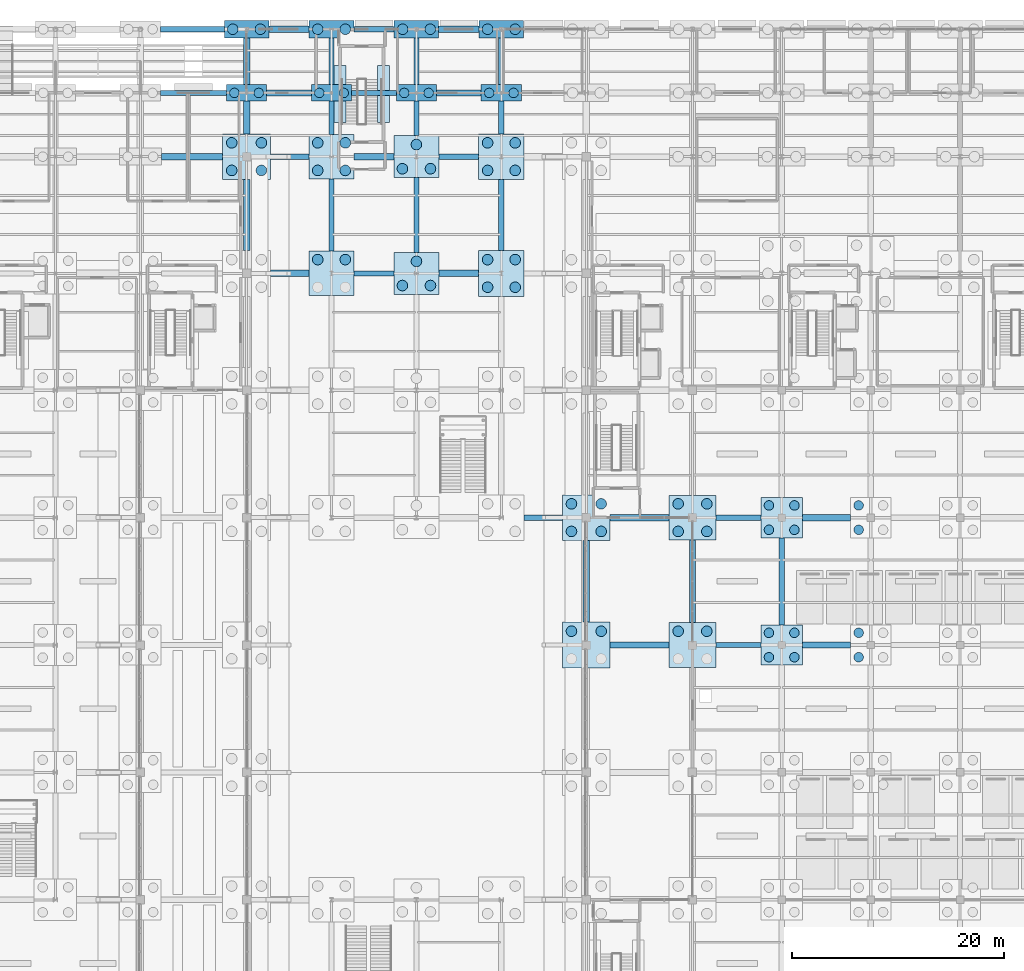
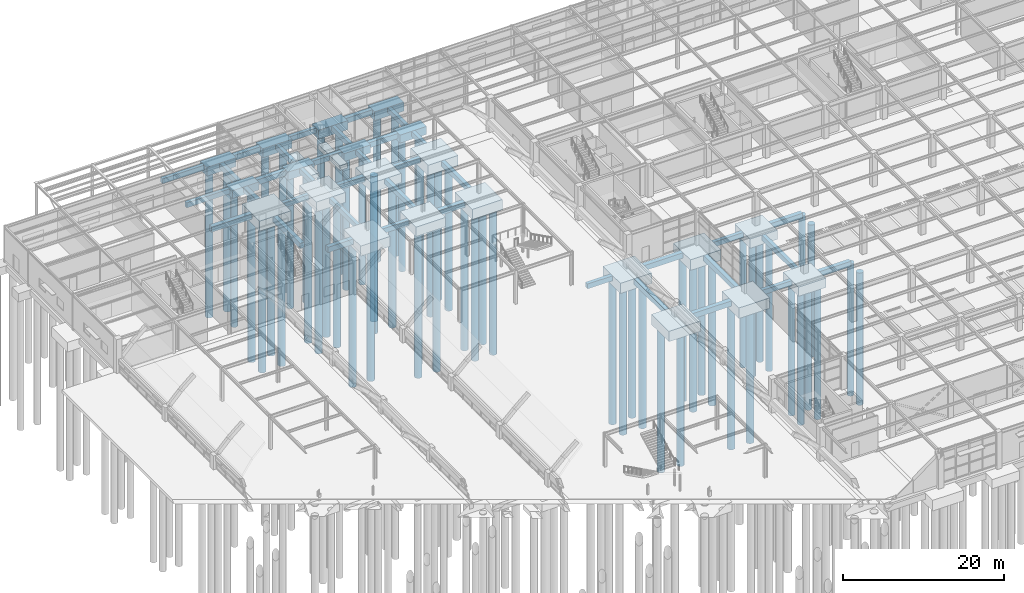
# One storey, part 6 of 129: 64 piles, 60 footings.
"""IFC4 building model written with IfcOpenShell, lengths in metres."""

from ifc_helpers import new_model, si_unit, direction, frame, origin, origin_2d, place, context, subcontext, project, spatial, rectangle, circle, extrude, material, material_profile, profile_set, type_object, element, save


model = new_model("IFC4")

# Units and contexts
model_context = context("Model", 3, precision=1e-05, world=origin(), true_north=direction((0.0, 1.0)))
body_context = subcontext(model_context, "Body", "Model", "MODEL_VIEW")
ifc_project = project(units=[si_unit("LENGTHUNIT", "METRE"), si_unit("AREAUNIT", "SQUARE_METRE"), si_unit("VOLUMEUNIT", "CUBIC_METRE"), si_unit("PLANEANGLEUNIT", "RADIAN"), si_unit("MASSUNIT", "GRAM", prefix="KILO")], contexts=[model_context])

# Site, building, storey
site_placement = place(None, origin())
site = spatial("IfcSite", under=ifc_project, at=site_placement, CompositionType="ELEMENT")
building_placement = place(site_placement, origin())
building = spatial("IfcBuilding", under=site, at=building_placement, Name="Sitalva Quay Ferry Terminal", CompositionType="ELEMENT")
storey_placement = place(building_placement, origin())
storey = spatial("IfcBuildingStorey", under=building, at=storey_placement, Name="L01", CompositionType="ELEMENT", Elevation=0.0)

# Footings
ifc_material_1 = material(Name="Concrete C35/45", Category="concrete")
ifc_material_profile_1 = material_profile(ifc_material_1, rectangle(XDim=0.5, YDim=0.75, at=origin_2d()), Name="RC500x750")
ifc_profile_set_1 = profile_set([ifc_material_profile_1], Name="Concrete C35/45")
footing_type_1 = type_object("IfcFootingType", Name="FootingBeam_500x750", PredefinedType="FOOTING_BEAM", material=ifc_profile_set_1)
footing_1_placement = place(storey_placement, frame((86.199951171875, 54.0, -0.824951171875), z_axis=(1.0, 0.0, 0.0), x_axis=(0.0, 1.0, 0.0)))
element("IfcFooting", 1, at=footing_1_placement, inside=storey, type_object=footing_type_1, Name="Foundation tie beam FBR1-X-085", PredefinedType="FOOTING_BEAM", context=body_context, shape_type="SweptSolid", body=[
    extrude(rectangle(XDim=0.5, YDim=0.75, at=origin_2d()), origin(), (0.0, 0.0, 1.0), 4.25),
])
footing_2_placement = place(storey_placement, frame((68.14990234375, 66.0, -0.824951171875), z_axis=(1.0, 0.0, 0.0), x_axis=(0.0, 1.0, 0.0)))
element("IfcFooting", 2, at=footing_2_placement, inside=storey, type_object=footing_type_1, Name="Foundation tie beam FBR1-X-103", PredefinedType="FOOTING_BEAM", context=body_context, shape_type="SweptSolid", body=[
    extrude(rectangle(XDim=0.5, YDim=0.75, at=origin_2d()), origin(), (0.0, 0.0, 1.0), 3.60009765625),
])
footing_3_placement = place(storey_placement, frame((86.199951171875, 66.0, -0.824951171875), z_axis=(1.0, 0.0, 0.0), x_axis=(0.0, 1.0, 0.0)))
element("IfcFooting", 3, at=footing_3_placement, inside=storey, type_object=footing_type_1, Name="Foundation tie beam FBR1-X-105", PredefinedType="FOOTING_BEAM", context=body_context, shape_type="SweptSolid", body=[
    extrude(rectangle(XDim=0.5, YDim=0.75, at=origin_2d()), origin(), (0.0, 0.0, 1.0), 4.25),
])
footing_4_placement = place(storey_placement, frame((52.10009765625, 89.0, -0.824951171875), z_axis=(1.0, 0.0, 0.0), x_axis=(0.0, 1.0, 0.0)))
element("IfcFooting", 4, at=footing_4_placement, inside=storey, type_object=footing_type_1, Name="Foundation tie beam FBR1-X-141", PredefinedType="FOOTING_BEAM", context=body_context, shape_type="SweptSolid", body=[
    extrude(rectangle(XDim=0.5, YDim=0.75, at=origin_2d()), origin(), (0.0, 0.0, 1.0), 3.77490234375),
])
footing_5_placement = place(storey_placement, frame((44.25, 100.0, -0.824951171875), z_axis=(1.0, 0.0, 0.0), x_axis=(0.0, 1.0, 0.0)))
element("IfcFooting", 5, at=footing_5_placement, inside=storey, type_object=footing_type_1, Name="Foundation tie beam FBR1-X-159", PredefinedType="FOOTING_BEAM", context=body_context, shape_type="SweptSolid", body=[
    extrude(rectangle(XDim=0.5, YDim=0.75, at=origin_2d()), origin(), (0.0, 0.0, 1.0), 3.64990234375),
])
footing_6_placement = place(storey_placement, frame((60.125, 100.0, -0.824951171875), z_axis=(1.0, 0.0, 0.0), x_axis=(0.0, 1.0, 0.0)))
element("IfcFooting", 6, at=footing_6_placement, inside=storey, type_object=footing_type_1, Name="Foundation tie beam FBR1-X-161", PredefinedType="FOOTING_BEAM", context=body_context, shape_type="SweptSolid", body=[
    extrude(rectangle(XDim=0.5, YDim=0.75, at=origin_2d()), origin(), (0.0, 0.0, 1.0), 3.72509765625),
])
footing_7_placement = place(storey_placement, frame((33.89990234375, 106.0, -0.824951171875), z_axis=(1.0, 0.0, 0.0), x_axis=(0.0, 1.0, 0.0)))
element("IfcFooting", 7, at=footing_7_placement, inside=storey, type_object=footing_type_1, Name="Foundation tie beam FBR1-X-177", PredefinedType="FOOTING_BEAM", context=body_context, shape_type="SweptSolid", body=[
    extrude(rectangle(XDim=0.5, YDim=0.75, at=origin_2d()), origin(), (0.0, 0.0, 1.0), 6.2001953125),
])
footing_8_placement = place(storey_placement, frame((51.89990234375, 106.0, -0.824951171875), z_axis=(1.0, 0.0, 0.0), x_axis=(0.0, 1.0, 0.0)))
element("IfcFooting", 8, at=footing_8_placement, inside=storey, type_object=footing_type_1, Name="Foundation tie beam FBR1-X-179", PredefinedType="FOOTING_BEAM", context=body_context, shape_type="SweptSolid", body=[
    extrude(rectangle(XDim=0.5, YDim=0.75, at=origin_2d()), origin(), (0.0, 0.0, 1.0), 4.2001953125),
])
footing_9_placement = place(storey_placement, frame((33.89990234375, 112.0, -0.824951171875), z_axis=(1.0, 0.0, 0.0), x_axis=(0.0, 1.0, 0.0)))
element("IfcFooting", 9, at=footing_9_placement, inside=storey, type_object=footing_type_1, Name="Foundation tie beam FBR1-X-195", PredefinedType="FOOTING_BEAM", context=body_context, shape_type="SweptSolid", body=[
    extrude(rectangle(XDim=0.5, YDim=0.75, at=origin_2d()), origin(), (0.0, 0.0, 1.0), 6.0),
])
footing_10_placement = place(storey_placement, frame((52.10009765625, 112.0, -0.824951171875), z_axis=(1.0, 0.0, 0.0), x_axis=(0.0, 1.0, 0.0)))
element("IfcFooting", 10, at=footing_10_placement, inside=storey, type_object=footing_type_1, Name="Foundation tie beam FBR1-X-197", PredefinedType="FOOTING_BEAM", context=body_context, shape_type="SweptSolid", body=[
    extrude(rectangle(XDim=0.5, YDim=0.75, at=origin_2d()), origin(), (0.0, 0.0, 1.0), 3.7998046875),
])
footing_11_placement = place(storey_placement, frame((50.0, 91.10009765625, -0.824951171875), z_axis=(0.0, 1.0, 0.0), x_axis=(-1.0, 0.0, 0.0)))
element("IfcFooting", 11, at=footing_11_placement, inside=storey, type_object=footing_type_1, Name="Foundation tie beam FBR1-Y-260", PredefinedType="FOOTING_BEAM", context=body_context, shape_type="SweptSolid", body=[
    extrude(rectangle(XDim=0.5, YDim=0.75, at=origin_2d()), origin(), (0.0, 0.0, 1.0), 6.7998046875),
])
footing_12_placement = place(storey_placement, frame((50.0, 102.10009765625, -0.824951171875), z_axis=(0.0, 1.0, 0.0), x_axis=(-1.0, 0.0, 0.0)))
element("IfcFooting", 12, at=footing_12_placement, inside=storey, type_object=footing_type_1, Name="Foundation tie beam FBR1-Y-261", PredefinedType="FOOTING_BEAM", context=body_context, shape_type="SweptSolid", body=[
    extrude(rectangle(XDim=0.5, YDim=0.75, at=origin_2d()), origin(), (0.0, 0.0, 1.0), 3.125),
])
footing_13_placement = place(storey_placement, frame((50.0, 106.77490234375, -0.824951171875), z_axis=(0.0, 1.0, 0.0), x_axis=(-1.0, 0.0, 0.0)))
element("IfcFooting", 13, at=footing_13_placement, inside=storey, type_object=footing_type_1, Name="Foundation tie beam FBR1-Y-262", PredefinedType="FOOTING_BEAM", context=body_context, shape_type="SweptSolid", body=[
    extrude(rectangle(XDim=0.5, YDim=0.75, at=origin_2d()), origin(), (0.0, 0.0, 1.0), 4.400146484375),
])
footing_14_placement = place(storey_placement, frame((58.0, 90.97509765625, -0.824951171875), z_axis=(0.0, 1.0, 0.0), x_axis=(-1.0, 0.0, 0.0)))
element("IfcFooting", 14, at=footing_14_placement, inside=storey, type_object=footing_type_1, Name="Foundation tie beam FBR1-Y-269", PredefinedType="FOOTING_BEAM", context=body_context, shape_type="SweptSolid", body=[
    extrude(rectangle(XDim=0.5, YDim=0.75, at=origin_2d()), origin(), (0.0, 0.0, 1.0), 7.0498046875),
])
footing_15_placement = place(storey_placement, frame((58.0, 101.97509765625, -0.824951171875), z_axis=(0.0, 1.0, 0.0), x_axis=(-1.0, 0.0, 0.0)))
element("IfcFooting", 15, at=footing_15_placement, inside=storey, type_object=footing_type_1, Name="Foundation tie beam FBR1-Y-270", PredefinedType="FOOTING_BEAM", context=body_context, shape_type="SweptSolid", body=[
    extrude(rectangle(XDim=0.5, YDim=0.75, at=origin_2d()), origin(), (0.0, 0.0, 1.0), 3.25),
])
footing_16_placement = place(storey_placement, frame((58.0, 106.77490234375, -0.824951171875), z_axis=(0.0, 1.0, 0.0), x_axis=(-1.0, 0.0, 0.0)))
element("IfcFooting", 16, at=footing_16_placement, inside=storey, type_object=footing_type_1, Name="Foundation tie beam FBR1-Y-271", PredefinedType="FOOTING_BEAM", context=body_context, shape_type="SweptSolid", body=[
    extrude(rectangle(XDim=0.5, YDim=0.75, at=origin_2d()), origin(), (0.0, 0.0, 1.0), 4.400146484375),
])
footing_17_placement = place(storey_placement, frame((66.0, 91.14990234375, -0.824951171875), z_axis=(0.0, 1.0, 0.0), x_axis=(-1.0, 0.0, 0.0)))
element("IfcFooting", 17, at=footing_17_placement, inside=storey, type_object=footing_type_1, Name="Foundation tie beam FBR1-Y-278", PredefinedType="FOOTING_BEAM", context=body_context, shape_type="SweptSolid", body=[
    extrude(rectangle(XDim=0.5, YDim=0.75, at=origin_2d()), origin(), (0.0, 0.0, 1.0), 6.7001953125),
])
footing_18_placement = place(storey_placement, frame((66.0, 102.14990234375, -0.824951171875), z_axis=(0.0, 1.0, 0.0), x_axis=(-1.0, 0.0, 0.0)))
element("IfcFooting", 18, at=footing_18_placement, inside=storey, type_object=footing_type_1, Name="Foundation tie beam FBR1-Y-279", PredefinedType="FOOTING_BEAM", context=body_context, shape_type="SweptSolid", body=[
    extrude(rectangle(XDim=0.5, YDim=0.75, at=origin_2d()), origin(), (0.0, 0.0, 1.0), 3.0751953125),
])
footing_19_placement = place(storey_placement, frame((66.0, 106.77490234375, -0.824951171875), z_axis=(0.0, 1.0, 0.0), x_axis=(-1.0, 0.0, 0.0)))
element("IfcFooting", 19, at=footing_19_placement, inside=storey, type_object=footing_type_1, Name="Foundation tie beam FBR1-Y-280", PredefinedType="FOOTING_BEAM", context=body_context, shape_type="SweptSolid", body=[
    extrude(rectangle(XDim=0.5, YDim=0.75, at=origin_2d()), origin(), (0.0, 0.0, 1.0), 4.400146484375),
])
footing_20_placement = place(storey_placement, frame((92.39990234375, 55.89990234375, -0.824951171875), z_axis=(0.0, 1.0, 0.0), x_axis=(-1.0, 0.0, 0.0)))
element("IfcFooting", 20, at=footing_20_placement, inside=storey, type_object=footing_type_1, Name="Foundation tie beam FBR1-Y-305", PredefinedType="FOOTING_BEAM", context=body_context, shape_type="SweptSolid", body=[
    extrude(rectangle(XDim=0.5, YDim=0.75, at=origin_2d()), origin(), (0.0, 0.0, 1.0), 8.2001953125),
])
ifc_material_2 = material(Name="Concrete C35/45", Category="concrete")
ifc_material_profile_2 = material_profile(ifc_material_2, rectangle(XDim=0.60009765625, YDim=0.800048828125, at=origin_2d()), Name="RC600x800")
ifc_profile_set_2 = profile_set([ifc_material_profile_2], Name="Concrete C35/45")
footing_type_2 = type_object("IfcFootingType", Name="FootingBeam_600x800", PredefinedType="FOOTING_BEAM", material=ifc_profile_set_2)
footing_21_placement = place(storey_placement, frame((76.25, 54.0, -0.85009765625), z_axis=(1.0, 0.0, 0.0), x_axis=(0.0, 1.0, 0.0)))
element("IfcFooting", 21, at=footing_21_placement, inside=storey, type_object=footing_type_2, Name="Foundation tie beam FBR1-X-084", PredefinedType="FOOTING_BEAM", context=body_context, shape_type="SweptSolid", body=[
    extrude(rectangle(XDim=0.60009765625, YDim=0.800048828125, at=origin_2d()), origin(), (0.0, 0.0, 1.0), 5.550048828125),
])
footing_22_placement = place(storey_placement, frame((94.35009765625, 54.0, -0.85009765625), z_axis=(1.0, 0.0, 0.0), x_axis=(0.0, 1.0, 0.0)))
element("IfcFooting", 22, at=footing_22_placement, inside=storey, type_object=footing_type_2, Name="Foundation tie beam FBR1-X-086", PredefinedType="FOOTING_BEAM", context=body_context, shape_type="SweptSolid", body=[
    extrude(rectangle(XDim=0.60009765625, YDim=0.800048828125, at=origin_2d()), origin(), (0.0, 0.0, 1.0), 4.5498046875),
])
footing_23_placement = place(storey_placement, frame((76.25, 66.0, -0.85009765625), z_axis=(1.0, 0.0, 0.0), x_axis=(0.0, 1.0, 0.0)))
element("IfcFooting", 23, at=footing_23_placement, inside=storey, type_object=footing_type_2, Name="Foundation tie beam FBR1-X-104", PredefinedType="FOOTING_BEAM", context=body_context, shape_type="SweptSolid", body=[
    extrude(rectangle(XDim=0.60009765625, YDim=0.800048828125, at=origin_2d()), origin(), (0.0, 0.0, 1.0), 5.550048828125),
])
footing_24_placement = place(storey_placement, frame((94.35009765625, 66.0, -0.85009765625), z_axis=(1.0, 0.0, 0.0), x_axis=(0.0, 1.0, 0.0)))
element("IfcFooting", 24, at=footing_24_placement, inside=storey, type_object=footing_type_2, Name="Foundation tie beam FBR1-X-106", PredefinedType="FOOTING_BEAM", context=body_context, shape_type="SweptSolid", body=[
    extrude(rectangle(XDim=0.60009765625, YDim=0.800048828125, at=origin_2d()), origin(), (0.0, 0.0, 1.0), 4.5498046875),
])
footing_25_placement = place(storey_placement, frame((44.25, 89.0, -0.85009765625), z_axis=(1.0, 0.0, 0.0), x_axis=(0.0, 1.0, 0.0)))
element("IfcFooting", 25, at=footing_25_placement, inside=storey, type_object=footing_type_2, Name="Foundation tie beam FBR1-X-140", PredefinedType="FOOTING_BEAM", context=body_context, shape_type="SweptSolid", body=[
    extrude(rectangle(XDim=0.60009765625, YDim=0.800048828125, at=origin_2d()), origin(), (0.0, 0.0, 1.0), 3.64990234375),
])
footing_26_placement = place(storey_placement, frame((60.125, 89.0, -0.85009765625), z_axis=(1.0, 0.0, 0.0), x_axis=(0.0, 1.0, 0.0)))
element("IfcFooting", 26, at=footing_26_placement, inside=storey, type_object=footing_type_2, Name="Foundation tie beam FBR1-X-142", PredefinedType="FOOTING_BEAM", context=body_context, shape_type="SweptSolid", body=[
    extrude(rectangle(XDim=0.60009765625, YDim=0.800048828125, at=origin_2d()), origin(), (0.0, 0.0, 1.0), 3.72509765625),
])
footing_27_placement = place(storey_placement, frame((33.97509765625, 100.0, -0.85009765625), z_axis=(1.0, 0.0, 0.0), x_axis=(0.0, 1.0, 0.0)))
element("IfcFooting", 27, at=footing_27_placement, inside=storey, type_object=footing_type_2, Name="Foundation tie beam FBR1-X-158", PredefinedType="FOOTING_BEAM", context=body_context, shape_type="SweptSolid", body=[
    extrude(rectangle(XDim=0.60009765625, YDim=0.800048828125, at=origin_2d()), origin(), (0.0, 0.0, 1.0), 5.77490234375),
])
footing_28_placement = place(storey_placement, frame((52.10009765625, 100.0, -0.85009765625), z_axis=(1.0, 0.0, 0.0), x_axis=(0.0, 1.0, 0.0)))
element("IfcFooting", 28, at=footing_28_placement, inside=storey, type_object=footing_type_2, Name="Foundation tie beam FBR1-X-160", PredefinedType="FOOTING_BEAM", context=body_context, shape_type="SweptSolid", body=[
    extrude(rectangle(XDim=0.60009765625, YDim=0.800048828125, at=origin_2d()), origin(), (0.0, 0.0, 1.0), 3.77490234375),
])
for number, where, z_axis, x_axis, name in (
    (29, (43.89990234375, 106.0, -0.85009765625), (1.0, 0.0, 0.0), (0.0, 1.0, 0.0), "Foundation tie beam FBR1-X-178"),
    (30, (59.89990234375, 106.0, -0.85009765625), (1.0, 0.0, 0.0), (0.0, 1.0, 0.0), "Foundation tie beam FBR1-X-180"),
):
    element("IfcFooting", number, at=place(storey_placement, frame(where, z_axis=z_axis, x_axis=x_axis)), inside=storey, type_object=footing_type_2, Name=name, PredefinedType="FOOTING_BEAM", context=body_context, shape_type="SweptSolid", body=[
        extrude(rectangle(XDim=0.60009765625, YDim=0.800048828125, at=origin_2d()), origin(), (0.0, 0.0, 1.0), 4.2001953125),
    ])
for number, where, z_axis, x_axis, name in (
    (31, (44.10009765625, 112.0, -0.85009765625), (1.0, 0.0, 0.0), (0.0, 1.0, 0.0), "Foundation tie beam FBR1-X-196"),
    (32, (60.10009765625, 112.0, -0.85009765625), (1.0, 0.0, 0.0), (0.0, 1.0, 0.0), "Foundation tie beam FBR1-X-198"),
):
    element("IfcFooting", number, at=place(storey_placement, frame(where, z_axis=z_axis, x_axis=x_axis)), inside=storey, type_object=footing_type_2, Name=name, PredefinedType="FOOTING_BEAM", context=body_context, shape_type="SweptSolid", body=[
        extrude(rectangle(XDim=0.60009765625, YDim=0.800048828125, at=origin_2d()), origin(), (0.0, 0.0, 1.0), 3.7998046875),
    ])
footing_29_placement = place(storey_placement, frame((42.0, 91.14990234375, -0.85009765625), z_axis=(0.0, 1.0, 0.0), x_axis=(-1.0, 0.0, 0.0)))
element("IfcFooting", 33, at=footing_29_placement, inside=storey, type_object=footing_type_2, Name="Foundation tie beam FBR1-Y-253", PredefinedType="FOOTING_BEAM", context=body_context, shape_type="SweptSolid", body=[
    extrude(rectangle(XDim=0.60009765625, YDim=0.800048828125, at=origin_2d()), origin(), (0.0, 0.0, 1.0), 6.7001953125),
])
footing_30_placement = place(storey_placement, frame((42.0, 102.14990234375, -0.85009765625), z_axis=(0.0, 1.0, 0.0), x_axis=(-1.0, 0.0, 0.0)))
element("IfcFooting", 34, at=footing_30_placement, inside=storey, type_object=footing_type_2, Name="Foundation tie beam FBR1-Y-254", PredefinedType="FOOTING_BEAM", context=body_context, shape_type="SweptSolid", body=[
    extrude(rectangle(XDim=0.60009765625, YDim=0.800048828125, at=origin_2d()), origin(), (0.0, 0.0, 1.0), 3.0751953125),
])
footing_31_placement = place(storey_placement, frame((42.0, 106.77490234375, -0.85009765625), z_axis=(0.0, 1.0, 0.0), x_axis=(-1.0, 0.0, 0.0)))
element("IfcFooting", 35, at=footing_31_placement, inside=storey, type_object=footing_type_2, Name="Foundation tie beam FBR1-Y-255", PredefinedType="FOOTING_BEAM", context=body_context, shape_type="SweptSolid", body=[
    extrude(rectangle(XDim=0.60009765625, YDim=0.800048828125, at=origin_2d()), origin(), (0.0, 0.0, 1.0), 4.400146484375),
])
footing_32_placement = place(storey_placement, frame((74.0, 56.14990234375, -0.85009765625), z_axis=(0.0, 1.0, 0.0), x_axis=(-1.0, 0.0, 0.0)))
element("IfcFooting", 36, at=footing_32_placement, inside=storey, type_object=footing_type_2, Name="Foundation tie beam FBR1-Y-285", PredefinedType="FOOTING_BEAM", context=body_context, shape_type="SweptSolid", body=[
    extrude(rectangle(XDim=0.60009765625, YDim=0.800048828125, at=origin_2d()), origin(), (0.0, 0.0, 1.0), 7.7001953125),
])
footing_33_placement = place(storey_placement, frame((84.0, 56.10009765625, -0.85009765625), z_axis=(0.0, 1.0, 0.0), x_axis=(-1.0, 0.0, 0.0)))
element("IfcFooting", 37, at=footing_33_placement, inside=storey, type_object=footing_type_2, Name="Foundation tie beam FBR1-Y-295", PredefinedType="FOOTING_BEAM", context=body_context, shape_type="SweptSolid", body=[
    extrude(rectangle(XDim=0.60009765625, YDim=0.800048828125, at=origin_2d()), origin(), (0.0, 0.0, 1.0), 7.7998046875),
])
ifc_material_3 = material(Name="Concrete C35/45", Category="concrete")
footing_type_3 = type_object("IfcFootingType", Name="PileCap_2P_D1000_X1", PredefinedType="PILE_CAP", material=ifc_material_3)
for number, where, z_axis, x_axis, name in (
    (38, (42.0, 112.0, -1.800048828125), (0.0, 0.0, 1.0), (1.0, 0.0, 0.0), "Pile cap PC-10 at 6N"),
    (39, (50.0, 112.0, -1.800048828125), (0.0, 0.0, 1.0), (1.0, 0.0, 0.0), "Pile cap PC-10 at 7N"),
    (40, (58.0, 112.0, -1.800048828125), (0.0, 0.0, 1.0), (1.0, 0.0, 0.0), "Pile cap PC-10 at 8N"),
    (41, (66.0, 112.0, -1.800048828125), (0.0, 0.0, 1.0), (1.0, 0.0, 0.0), "Pile cap PC-10 at 9N"),
):
    element("IfcFooting", number, at=place(storey_placement, frame(where, z_axis=z_axis, x_axis=x_axis)), inside=storey, type_object=footing_type_3, Name=name, PredefinedType="PILE_CAP", context=body_context, shape_type="SweptSolid", body=[
        extrude(rectangle(XDim=4.199951171875, YDim=1.64990234375, at=origin_2d()), origin(), (0.0, 0.0, 1.0), 1.35009765625),
    ])
ifc_material_4 = material(Name="Concrete C35/45", Category="concrete")
footing_type_4 = type_object("IfcFootingType", Name="PileCap_2P_D900_X1", PredefinedType="PILE_CAP", material=ifc_material_4)
for number, where, z_axis, x_axis, name in (
    (42, (42.0, 106.0, -1.64990234375), (0.0, 0.0, 1.0), (1.0, 0.0, 0.0), "Pile cap PC-13 at 6M"),
    (43, (50.0, 106.0, -1.64990234375), (0.0, 0.0, 1.0), (1.0, 0.0, 0.0), "Pile cap PC-13 at 7M"),
    (44, (58.0, 106.0, -1.64990234375), (0.0, 0.0, 1.0), (1.0, 0.0, 0.0), "Pile cap PC-13 at 8M"),
    (45, (66.0, 106.0, -1.64990234375), (0.0, 0.0, 1.0), (1.0, 0.0, 0.0), "Pile cap PC-13 at 9M"),
):
    element("IfcFooting", number, at=place(storey_placement, frame(where, z_axis=z_axis, x_axis=x_axis)), inside=storey, type_object=footing_type_4, Name=name, PredefinedType="PILE_CAP", context=body_context, shape_type="SweptSolid", body=[
        extrude(rectangle(XDim=3.800048828125, YDim=1.550048828125, at=origin_2d()), origin(), (0.0, 0.0, 1.0), 1.199951171875),
    ])
ifc_material_5 = material(Name="Concrete C35/45", Category="concrete")
footing_type_5 = type_object("IfcFootingType", Name="PileCap_3P_D1000_A", PredefinedType="PILE_CAP", material=ifc_material_5)
for number, where, z_axis, x_axis, name in (
    (46, (58.0, 89.0, -1.869873046875), (0.0, 0.0, 1.0), (1.0, 0.0, 0.0), "Pile cap PC-18 at 8K"),
    (47, (58.0, 100.0, -1.869873046875), (0.0, 0.0, 1.0), (1.0, 0.0, 0.0), "Pile cap PC-18 at 8L"),
):
    element("IfcFooting", number, at=place(storey_placement, frame(where, z_axis=z_axis, x_axis=x_axis)), inside=storey, type_object=footing_type_5, Name=name, PredefinedType="PILE_CAP", context=body_context, shape_type="SweptSolid", body=[
        extrude(rectangle(XDim=4.25, YDim=3.949951171875, at=origin_2d()), origin(), (0.0, 0.0, 1.0), 1.419921875),
    ])
ifc_material_6 = material(Name="Concrete C35/45", Category="concrete")
footing_type_6 = type_object("IfcFootingType", Name="PileCap_4P_D1000_A", PredefinedType="PILE_CAP", material=ifc_material_6)
for number, where, z_axis, x_axis, name in (
    (48, (50.0, 89.0, -1.949951171875), (0.0, 0.0, 1.0), (1.0, 0.0, 0.0), "Pile cap PC-03 at 7K"),
    (49, (50.0, 100.0, -1.949951171875), (0.0, 0.0, 1.0), (1.0, 0.0, 0.0), "Pile cap PC-03 at 7L"),
):
    element("IfcFooting", number, at=place(storey_placement, frame(where, z_axis=z_axis, x_axis=x_axis)), inside=storey, type_object=footing_type_6, Name=name, PredefinedType="PILE_CAP", context=body_context, shape_type="SweptSolid", body=[
        extrude(rectangle(XDim=4.199951171875, YDim=4.199951171875, at=origin_2d()), origin(), (0.0, 0.0, 1.0), 1.5),
    ])
ifc_material_7 = material(Name="Concrete C35/45", Category="concrete")
footing_type_7 = type_object("IfcFootingType", Name="PileCap_4P_D1000_B", PredefinedType="PILE_CAP", material=ifc_material_7)
for number, where, z_axis, x_axis, name in (
    (50, (66.0, 89.0, -2.0), (0.0, 0.0, 1.0), (1.0, 0.0, 0.0), "Pile cap PC-04 at 9K"),
    (51, (66.0, 100.0, -2.0), (0.0, 0.0, 1.0), (1.0, 0.0, 0.0), "Pile cap PC-04 at 9L"),
):
    element("IfcFooting", number, at=place(storey_placement, frame(where, z_axis=z_axis, x_axis=x_axis)), inside=storey, type_object=footing_type_7, Name=name, PredefinedType="PILE_CAP", context=body_context, shape_type="SweptSolid", body=[
        extrude(rectangle(XDim=4.300048828125, YDim=4.300048828125, at=origin_2d()), origin(), (0.0, 0.0, 1.0), 1.550048828125),
    ])
ifc_material_8 = material(Name="Concrete C35/45", Category="concrete")
footing_type_8 = type_object("IfcFootingType", Name="PileCap_4P_D1000_C", PredefinedType="PILE_CAP", material=ifc_material_8)
for number, where, z_axis, x_axis, name in (
    (52, (84.0, 54.0, -2.050048828125), (0.0, 0.0, 1.0), (1.0, 0.0, 0.0), "Pile cap PC-05 at 11G"),
    (53, (84.0, 66.0, -2.050048828125), (0.0, 0.0, 1.0), (1.0, 0.0, 0.0), "Pile cap PC-05 at 11H"),
):
    element("IfcFooting", number, at=place(storey_placement, frame(where, z_axis=z_axis, x_axis=x_axis)), inside=storey, type_object=footing_type_8, Name=name, PredefinedType="PILE_CAP", context=body_context, shape_type="SweptSolid", body=[
        extrude(rectangle(XDim=4.39990234375, YDim=4.199951171875, at=origin_2d()), origin(), (0.0, 0.0, 1.0), 1.60009765625),
    ])
ifc_material_9 = material(Name="Concrete C35/45", Category="concrete")
footing_type_9 = type_object("IfcFootingType", Name="PileCap_4P_D1000_V1", PredefinedType="PILE_CAP", material=ifc_material_9)
for number, where, z_axis, x_axis, name in (
    (54, (74.0, 54.0, -2.0), (0.0, 0.0, 1.0), (1.0, 0.0, 0.0), "Pile cap PC-06 at 10G"),
    (55, (74.0, 66.0, -2.0), (0.0, 0.0, 1.0), (1.0, 0.0, 0.0), "Pile cap PC-06 at 10H"),
    (56, (42.0, 100.0, -2.0), (0.0, 0.0, 1.0), (1.0, 0.0, 0.0), "Pile cap PC-06 at 6L"),
):
    element("IfcFooting", number, at=place(storey_placement, frame(where, z_axis=z_axis, x_axis=x_axis)), inside=storey, type_object=footing_type_9, Name=name, PredefinedType="PILE_CAP", context=body_context, shape_type="SweptSolid", body=[
        extrude(rectangle(XDim=4.5, YDim=4.300048828125, at=origin_2d()), origin(), (0.0, 0.0, 1.0), 1.550048828125),
    ])
ifc_material_10 = material(Name="Concrete C35/45", Category="concrete")
footing_type_10 = type_object("IfcFootingType", Name="PileCap_4P_D900_B", PredefinedType="PILE_CAP", material=ifc_material_10)
for number, where, z_axis, x_axis, name in (
    (57, (92.39990234375, 54.0, -1.849853515625), (0.0, 0.0, 1.0), (1.0, 0.0, 0.0), "Pile cap PC-08 at 12G"),
    (58, (92.39990234375, 66.0, -1.849853515625), (0.0, 0.0, 1.0), (1.0, 0.0, 0.0), "Pile cap PC-08 at 12H"),
):
    element("IfcFooting", number, at=place(storey_placement, frame(where, z_axis=z_axis, x_axis=x_axis)), inside=storey, type_object=footing_type_10, Name=name, PredefinedType="PILE_CAP", context=body_context, shape_type="SweptSolid", body=[
        extrude(rectangle(XDim=3.89990234375, YDim=3.800048828125, at=origin_2d()), origin(), (0.0, 0.0, 1.0), 1.39990234375),
    ])

# Piles
ifc_material_11 = material(Name="Concrete C35/45", Category="concrete")
ifc_material_profile_3 = material_profile(ifc_material_11, circle(Radius=0.5, at=origin_2d()), Name="PILE-D1000")
ifc_profile_set_3 = profile_set([ifc_material_profile_3], Name="Concrete C35/45")
pile_type_1 = type_object("IfcPileType", Name="Pile_Bored_D1000", PredefinedType="BORED", material=ifc_profile_set_3)
for number, where, z_axis, x_axis, name in (
    (59, (72.60009765625, 55.300048828125, -1.89990234375), (0.0, 0.0, -1.0), (1.0, 0.0, 0.0), "Bored pile 10G-P3"),
    (60, (75.39990234375, 55.300048828125, -1.89990234375), (0.0, 0.0, -1.0), (1.0, 0.0, 0.0), "Bored pile 10G-P4"),
    (61, (82.64990234375, 55.300048828125, -1.949951171875), (0.0, 0.0, -1.0), (1.0, 0.0, 0.0), "Bored pile 11G-P3"),
    (62, (85.35009765625, 55.300048828125, -1.949951171875), (0.0, 0.0, -1.0), (1.0, 0.0, 0.0), "Bored pile 11G-P4"),
    (63, (72.60009765625, 64.699951171875, -1.89990234375), (0.0, 0.0, -1.0), (1.0, 0.0, 0.0), "Bored pile 10H-P1"),
    (64, (75.39990234375, 64.699951171875, -1.89990234375), (0.0, 0.0, -1.0), (1.0, 0.0, 0.0), "Bored pile 10H-P2"),
    (65, (72.60009765625, 67.300048828125, -1.89990234375), (0.0, 0.0, -1.0), (1.0, 0.0, 0.0), "Bored pile 10H-P3"),
    (66, (75.39990234375, 67.300048828125, -1.89990234375), (0.0, 0.0, -1.0), (1.0, 0.0, 0.0), "Bored pile 10H-P4"),
    (67, (82.64990234375, 64.699951171875, -1.949951171875), (0.0, 0.0, -1.0), (1.0, 0.0, 0.0), "Bored pile 11H-P1"),
    (68, (85.35009765625, 64.699951171875, -1.949951171875), (0.0, 0.0, -1.0), (1.0, 0.0, 0.0), "Bored pile 11H-P2"),
    (69, (82.64990234375, 67.300048828125, -1.949951171875), (0.0, 0.0, -1.0), (1.0, 0.0, 0.0), "Bored pile 11H-P3"),
    (70, (85.35009765625, 67.300048828125, -1.949951171875), (0.0, 0.0, -1.0), (1.0, 0.0, 0.0), "Bored pile 11H-P4"),
    (71, (48.699951171875, 90.300048828125, -1.85009765625), (0.0, 0.0, -1.0), (1.0, 0.0, 0.0), "Bored pile 7K-P3"),
    (72, (51.300048828125, 90.300048828125, -1.85009765625), (0.0, 0.0, -1.0), (1.0, 0.0, 0.0), "Bored pile 7K-P4"),
    (73, (56.679931640625, 87.860107421875, -1.77001953125), (0.0, 0.0, -1.0), (1.0, 0.0, 0.0), "Bored pile 8K-P1"),
    (74, (59.320068359375, 87.860107421875, -1.77001953125), (0.0, 0.0, -1.0), (1.0, 0.0, 0.0), "Bored pile 8K-P2"),
    (75, (58.0, 90.139892578125, -1.77001953125), (0.0, 0.0, -1.0), (1.0, 0.0, 0.0), "Bored pile 8K-P3"),
    (76, (64.699951171875, 87.699951171875, -1.89990234375), (0.0, 0.0, -1.0), (1.0, 0.0, 0.0), "Bored pile 9K-P1"),
    (77, (67.300048828125, 87.699951171875, -1.89990234375), (0.0, 0.0, -1.0), (1.0, 0.0, 0.0), "Bored pile 9K-P2"),
    (78, (64.699951171875, 90.300048828125, -1.89990234375), (0.0, 0.0, -1.0), (1.0, 0.0, 0.0), "Bored pile 9K-P3"),
    (79, (67.300048828125, 90.300048828125, -1.89990234375), (0.0, 0.0, -1.0), (1.0, 0.0, 0.0), "Bored pile 9K-P4"),
    (80, (40.60009765625, 98.699951171875, -1.89990234375), (0.0, 0.0, -1.0), (1.0, 0.0, 0.0), "Bored pile 6L-P1"),
    (81, (43.39990234375, 98.699951171875, -1.89990234375), (0.0, 0.0, -1.0), (1.0, 0.0, 0.0), "Bored pile 6L-P2"),
    (82, (40.60009765625, 101.300048828125, -1.89990234375), (0.0, 0.0, -1.0), (1.0, 0.0, 0.0), "Bored pile 6L-P3"),
    (83, (43.39990234375, 101.300048828125, -1.89990234375), (0.0, 0.0, -1.0), (1.0, 0.0, 0.0), "Bored pile 6L-P4"),
    (84, (48.699951171875, 98.699951171875, -1.85009765625), (0.0, 0.0, -1.0), (1.0, 0.0, 0.0), "Bored pile 7L-P1"),
    (85, (51.300048828125, 98.699951171875, -1.85009765625), (0.0, 0.0, -1.0), (1.0, 0.0, 0.0), "Bored pile 7L-P2"),
    (86, (48.699951171875, 101.300048828125, -1.85009765625), (0.0, 0.0, -1.0), (1.0, 0.0, 0.0), "Bored pile 7L-P3"),
    (87, (51.300048828125, 101.300048828125, -1.85009765625), (0.0, 0.0, -1.0), (1.0, 0.0, 0.0), "Bored pile 7L-P4"),
    (88, (56.679931640625, 98.860107421875, -1.77001953125), (0.0, 0.0, -1.0), (1.0, 0.0, 0.0), "Bored pile 8L-P1"),
    (89, (59.320068359375, 98.860107421875, -1.77001953125), (0.0, 0.0, -1.0), (1.0, 0.0, 0.0), "Bored pile 8L-P2"),
    (90, (58.0, 101.139892578125, -1.77001953125), (0.0, 0.0, -1.0), (1.0, 0.0, 0.0), "Bored pile 8L-P3"),
    (91, (64.699951171875, 98.699951171875, -1.89990234375), (0.0, 0.0, -1.0), (1.0, 0.0, 0.0), "Bored pile 9L-P1"),
    (92, (67.300048828125, 98.699951171875, -1.89990234375), (0.0, 0.0, -1.0), (1.0, 0.0, 0.0), "Bored pile 9L-P2"),
    (93, (64.699951171875, 101.300048828125, -1.89990234375), (0.0, 0.0, -1.0), (1.0, 0.0, 0.0), "Bored pile 9L-P3"),
    (94, (67.300048828125, 101.300048828125, -1.89990234375), (0.0, 0.0, -1.0), (1.0, 0.0, 0.0), "Bored pile 9L-P4"),
    (95, (40.699951171875, 112.0, -1.699951171875), (0.0, 0.0, -1.0), (1.0, 0.0, 0.0), "Bored pile 6N-P1"),
    (96, (43.300048828125, 112.0, -1.699951171875), (0.0, 0.0, -1.0), (1.0, 0.0, 0.0), "Bored pile 6N-P2"),
    (97, (48.699951171875, 112.0, -1.699951171875), (0.0, 0.0, -1.0), (1.0, 0.0, 0.0), "Bored pile 7N-P1"),
    (98, (51.300048828125, 112.0, -1.699951171875), (0.0, 0.0, -1.0), (1.0, 0.0, 0.0), "Bored pile 7N-P2"),
    (99, (56.699951171875, 112.0, -1.699951171875), (0.0, 0.0, -1.0), (1.0, 0.0, 0.0), "Bored pile 8N-P1"),
    (100, (59.300048828125, 112.0, -1.699951171875), (0.0, 0.0, -1.0), (1.0, 0.0, 0.0), "Bored pile 8N-P2"),
    (101, (64.699951171875, 112.0, -1.699951171875), (0.0, 0.0, -1.0), (1.0, 0.0, 0.0), "Bored pile 9N-P1"),
    (102, (67.300048828125, 112.0, -1.699951171875), (0.0, 0.0, -1.0), (1.0, 0.0, 0.0), "Bored pile 9N-P2"),
):
    element("IfcPile", number, at=place(storey_placement, frame(where, z_axis=z_axis, x_axis=x_axis)), inside=storey, type_object=pile_type_1, Name=name, PredefinedType="BORED", context=body_context, shape_type="SweptSolid", body=[
        extrude(circle(Radius=0.5, at=origin_2d()), origin(), (0.0, 0.0, 1.0), 22.0),
    ])
ifc_material_12 = material(Name="Concrete C35/45", Category="concrete")
ifc_material_profile_4 = material_profile(ifc_material_12, circle(Radius=0.449951171875, at=origin_2d()), Name="PILE-D900")
ifc_profile_set_4 = profile_set([ifc_material_profile_4], Name="Concrete C35/45")
pile_type_2 = type_object("IfcPileType", Name="Pile_Bored_D900", PredefinedType="BORED", material=ifc_profile_set_4)
for number, where, z_axis, x_axis, name in (
    (103, (91.199951171875, 52.85009765625, -1.75), (0.0, 0.0, -1.0), (1.0, 0.0, 0.0), "Bored pile 12G-P1"),
    (104, (93.60009765625, 52.85009765625, -1.75), (0.0, 0.0, -1.0), (1.0, 0.0, 0.0), "Bored pile 12G-P2"),
    (105, (91.199951171875, 55.14990234375, -1.75), (0.0, 0.0, -1.0), (1.0, 0.0, 0.0), "Bored pile 12G-P3"),
    (106, (93.60009765625, 55.14990234375, -1.75), (0.0, 0.0, -1.0), (1.0, 0.0, 0.0), "Bored pile 12G-P4"),
    (107, (99.64990234375, 52.85009765625, -1.699951171875), (0.0, 0.0, -1.0), (1.0, 0.0, 0.0), "Bored pile 13G-P1"),
    (108, (99.64990234375, 55.14990234375, -1.699951171875), (0.0, 0.0, -1.0), (1.0, 0.0, 0.0), "Bored pile 13G-P3"),
    (109, (91.199951171875, 64.85009765625, -1.75), (0.0, 0.0, -1.0), (1.0, 0.0, 0.0), "Bored pile 12H-P1"),
    (110, (93.60009765625, 64.85009765625, -1.75), (0.0, 0.0, -1.0), (1.0, 0.0, 0.0), "Bored pile 12H-P2"),
    (111, (91.199951171875, 67.14990234375, -1.75), (0.0, 0.0, -1.0), (1.0, 0.0, 0.0), "Bored pile 12H-P3"),
    (112, (93.60009765625, 67.14990234375, -1.75), (0.0, 0.0, -1.0), (1.0, 0.0, 0.0), "Bored pile 12H-P4"),
    (113, (99.64990234375, 64.85009765625, -1.699951171875), (0.0, 0.0, -1.0), (1.0, 0.0, 0.0), "Bored pile 13H-P1"),
    (114, (99.64990234375, 67.14990234375, -1.699951171875), (0.0, 0.0, -1.0), (1.0, 0.0, 0.0), "Bored pile 13H-P3"),
    (115, (40.85009765625, 106.0, -1.550048828125), (0.0, 0.0, -1.0), (1.0, 0.0, 0.0), "Bored pile 6M-P1"),
    (116, (43.14990234375, 106.0, -1.550048828125), (0.0, 0.0, -1.0), (1.0, 0.0, 0.0), "Bored pile 6M-P2"),
    (117, (48.85009765625, 106.0, -1.550048828125), (0.0, 0.0, -1.0), (1.0, 0.0, 0.0), "Bored pile 7M-P1"),
    (118, (51.14990234375, 106.0, -1.550048828125), (0.0, 0.0, -1.0), (1.0, 0.0, 0.0), "Bored pile 7M-P2"),
    (119, (56.85009765625, 106.0, -1.550048828125), (0.0, 0.0, -1.0), (1.0, 0.0, 0.0), "Bored pile 8M-P1"),
    (120, (59.14990234375, 106.0, -1.550048828125), (0.0, 0.0, -1.0), (1.0, 0.0, 0.0), "Bored pile 8M-P2"),
    (121, (64.85009765625, 106.0, -1.550048828125), (0.0, 0.0, -1.0), (1.0, 0.0, 0.0), "Bored pile 9M-P1"),
    (122, (67.14990234375, 106.0, -1.550048828125), (0.0, 0.0, -1.0), (1.0, 0.0, 0.0), "Bored pile 9M-P2"),
):
    element("IfcPile", number, at=place(storey_placement, frame(where, z_axis=z_axis, x_axis=x_axis)), inside=storey, type_object=pile_type_2, Name=name, PredefinedType="BORED", context=body_context, shape_type="SweptSolid", body=[
        extrude(circle(Radius=0.449951171875, at=origin_2d()), origin(), (0.0, 0.0, 1.0), 20.0),
    ])

# Footings
ifc_material_13 = material(Name="Concrete C35/45", Category="concrete")
ifc_material_profile_5 = material_profile(ifc_material_13, rectangle(XDim=1.10009765625, YDim=0.699951171875, at=origin_2d()), Name="RC1100x700")
ifc_profile_set_5 = profile_set([ifc_material_profile_5], Name="Concrete C35/45")
footing_type_11 = type_object("IfcFootingType", Name="StripFooting_1100x700", PredefinedType="STRIP_FOOTING", material=ifc_profile_set_5)
for number, where, z_axis, x_axis, name in (
    (123, (50.800048828125, 103.199951171875, -0.800048828125), (0.0, 1.0, 0.0), (-1.0, 0.0, 0.0), "Core C7 west shear wall strip footing"),
    (124, (54.89990234375, 103.199951171875, -0.800048828125), (0.0, 1.0, 0.0), (-1.0, 0.0, 0.0), "Core C7 east shear wall strip footing"),
):
    element("IfcFooting", number, at=place(storey_placement, frame(where, z_axis=z_axis, x_axis=x_axis)), inside=storey, type_object=footing_type_11, Name=name, PredefinedType="STRIP_FOOTING", context=body_context, shape_type="SweptSolid", body=[
        extrude(rectangle(XDim=1.10009765625, YDim=0.699951171875, at=origin_2d()), origin(), (0.0, 0.0, 1.0), 5.400146484375),
    ])

save(model, "model.ifc")
